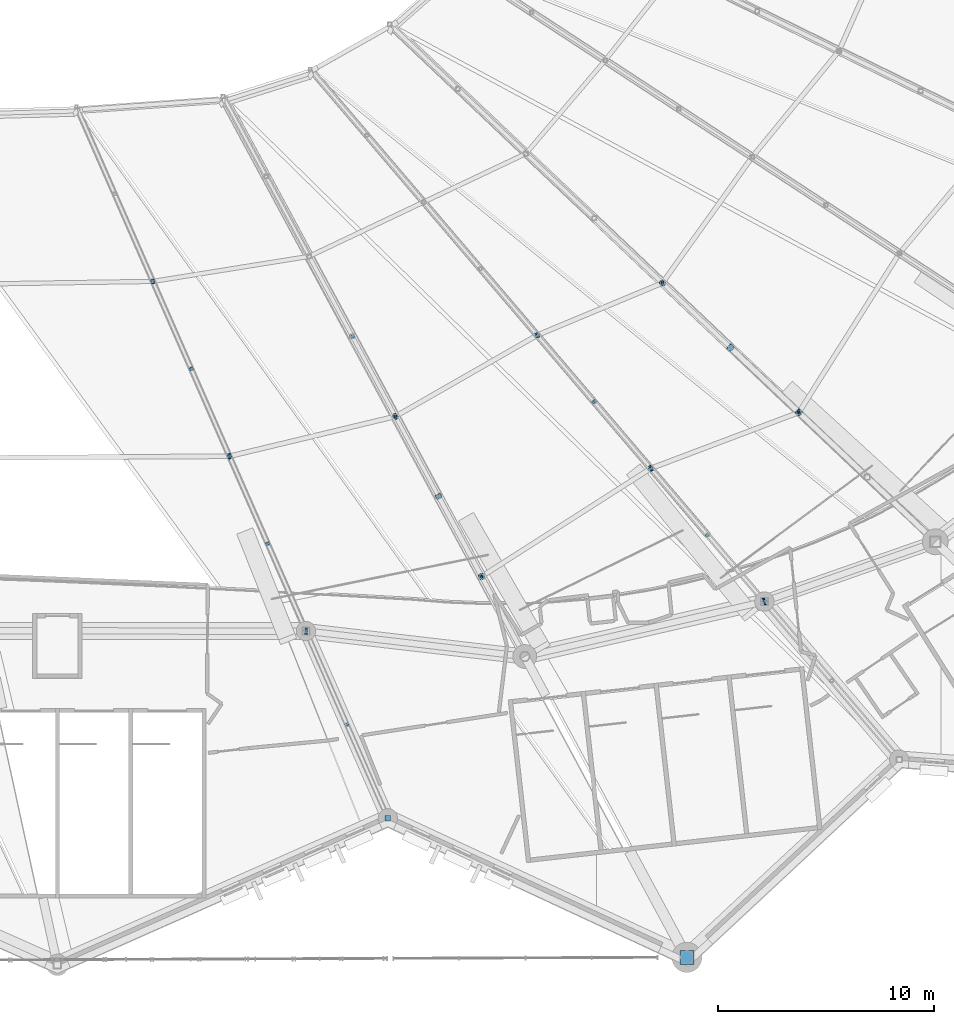
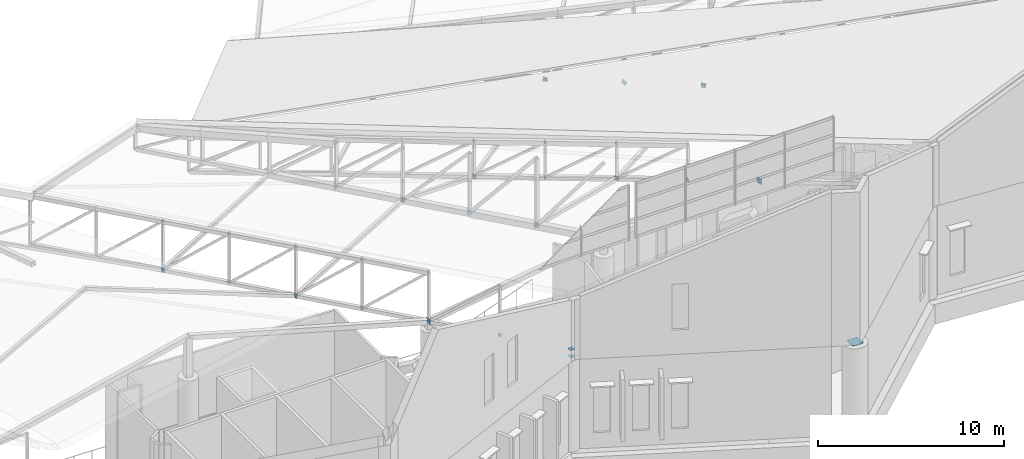
# One storey, part 296 of 344: 48 discrete accessories.
"""IFC4 building model written with IfcOpenShell, lengths in metres."""

from ifc_helpers import new_model, si_unit, direction, frame, origin, origin_2d, place, context, subcontext, project, spatial, rectangle, extrude, material, material_profile, profile_set, type_object, element, save


model = new_model("IFC4")

# Units and contexts
model_context = context("Model", 3, precision=1e-05, world=origin(), true_north=direction((0.0, 1.0)))
body_context = subcontext(model_context, "Body", "Model", "MODEL_VIEW")
ifc_project = project(units=[si_unit("LENGTHUNIT", "METRE"), si_unit("AREAUNIT", "SQUARE_METRE"), si_unit("VOLUMEUNIT", "CUBIC_METRE"), si_unit("PLANEANGLEUNIT", "RADIAN"), si_unit("MASSUNIT", "GRAM", prefix="KILO")], contexts=[model_context])

# Site, building, storey
site_placement = place(None, origin())
site = spatial("IfcSite", under=ifc_project, at=site_placement, CompositionType="ELEMENT")
building_placement = place(site_placement, origin())
building = spatial("IfcBuilding", under=site, at=building_placement, Name="Meseta Stadium", CompositionType="ELEMENT")
storey_placement = place(building_placement, frame((0.0, 0.0, 24.0)))
storey = spatial("IfcBuildingStorey", under=building, at=storey_placement, Name="L04", CompositionType="ELEMENT", Elevation=24.0)

# Discrete accessories
ifc_material_1 = material(Name="Steel S355", Category="steel")
ifc_material_profile_1 = material_profile(ifc_material_1, rectangle(XDim=0.179931640625, YDim=0.179931640625, at=origin_2d()), Name="PL 180x180")
ifc_profile_set_1 = profile_set([ifc_material_profile_1], Name="Steel S355")
discrete_accessory_type_1 = type_object("IfcDiscreteAccessoryType", Name="End plate 180x180x20", PredefinedType="ANCHORPLATE", material=ifc_profile_set_1)
discrete_accessory_1_placement = place(storey_placement, frame((27.43017578125, -73.6884765625, 3.54248046875), z_axis=(0.278854463561, -0.666825891123, 0.691074105346), x_axis=(0.922579877145, 0.385806130442, 0.0)))
element("IfcDiscreteAccessory", 1, at=discrete_accessory_1_placement, inside=storey, type_object=discrete_accessory_type_1, Name="End plate of ROOF TRUSS RT-49 diagonal", PredefinedType="ANCHORPLATE", context=body_context, shape_type="SweptSolid", body=[
    extrude(rectangle(XDim=0.179931640625, YDim=0.179931640625, at=origin_2d()), origin(), (0.0, 0.0, 1.0), 0.02001953125),
])
discrete_accessory_2_placement = place(storey_placement, frame((27.42431640625, -73.67529296875, 0.328857421875), z_axis=(0.294794917616, -0.663288564635, 0.68785480777), x_axis=(0.91381154862, 0.406138466053, 0.0)))
element("IfcDiscreteAccessory", 2, at=discrete_accessory_2_placement, inside=storey, type_object=discrete_accessory_type_1, Name="End plate of ROOF TRUSS RT-49 diagonal", PredefinedType="ANCHORPLATE", context=body_context, shape_type="SweptSolid", body=[
    extrude(rectangle(XDim=0.179931640625, YDim=0.179931640625, at=origin_2d()), origin(), (0.0, 0.0, 1.0), 0.019775390625),
])
for number, where, z_axis, x_axis, name in (
    (3, (29.205322265625, -77.744384765625, 4.54150390625), (0.281199650866, -0.672433947723, 0.6846600195), (0.922579877145, 0.385806130442, 0.0), "End plate of ROOF TRUSS RT-49 diagonal"),
    (4, (29.199462890625, -77.731201171875, 1.32763671875), (0.292313638097, -0.657705685718, 0.69424489048), (0.91381154862, 0.406138466053, 0.0), "End plate of ROOF TRUSS RT-49 diagonal"),
    (5, (30.98046875, -81.80029296875, 5.540283203125), (0.28111562288, -0.660010592848, 0.696677848006), (0.92002397899, 0.391862065125, 0.0), "End plate of ROOF TRUSS RT-49 diagonal"),
    (6, (30.974609375, -81.786865234375, 2.32666015625), (0.292400403797, -0.670084258702, 0.68226760886), (0.91653937837, 0.399944456016, 0.0), "End plate of ROOF TRUSS RT-49 diagonal"),
    (7, (32.755615234375, -85.85595703125, 6.539306640625), (0.292400403797, -0.670084258702, 0.68226760886), (0.91653937837, 0.399944456016, 0.0), "End plate of ROOF TRUSS RT-49 diagonal"),
    (8, (32.749755859375, -85.8427734375, 3.325439453125), (0.292313638097, -0.657705685718, 0.69424489048), (0.91381154862, 0.406138466053, 0.0), "End plate of ROOF TRUSS RT-49 diagonal"),
    (9, (34.524658203125, -89.898193359375, 4.324951171875), (0.305949199028, -0.685326205822, 0.6608502699), (0.913137882438, 0.407650840374, 0.0), "End plate of ROOF TRUSS RT-49 diagonal"),
    (10, (36.426025390625, -94.242431640625, 5.394775390625), (0.305995030681, -0.673189067498, 0.673189067498), (0.910366477463, 0.413802944301, 0.0), "End plate of ROOF TRUSS RT-49 diagonal"),
    (11, (45.260986328125, -76.1845703125, 4.05615234375), (0.514457157149, -0.600200016674, 0.612448996606), (0.759256602365, 0.650791373456, 0.0), "End plate of ROOF TRUSS RT-51 diagonal"),
    (12, (45.250732421875, -76.172607421875, 1.74365234375), (0.510602919511, -0.595703406096, 0.620017830835), (0.759256602365, 0.650791373456, 0.0), "End plate of ROOF TRUSS RT-51 diagonal"),
    (13, (47.8955078125, -79.27392578125, 4.928466796875), (0.510602919511, -0.595703406096, 0.620017830835), (0.759256602365, 0.650791373456, 0.0), "End plate of ROOF TRUSS RT-51 diagonal"),
    (14, (47.88525390625, -79.261962890625, 2.6162109375), (0.514457157149, -0.600200016674, 0.612448996606), (0.759256602365, 0.650791373456, 0.0), "End plate of ROOF TRUSS RT-51 diagonal"),
    (15, (50.5302734375, -82.363037109375, 5.801025390625), (0.51067840224, -0.607950478857, 0.607950478857), (0.76570486479, 0.643192086423, 0.0), "End plate of ROOF TRUSS RT-51 diagonal"),
    (16, (50.52001953125, -82.35107421875, 3.488525390625), (0.510602919511, -0.595703406096, 0.620017830835), (0.759256602365, 0.650791373456, 0.0), "End plate of ROOF TRUSS RT-51 diagonal"),
    (17, (53.154541015625, -85.4404296875, 4.361083984375), (0.514457157149, -0.600200016674, 0.612448996606), (0.759256602365, 0.650791373456, 0.0), "End plate of ROOF TRUSS RT-51 diagonal"),
    (18, (55.788818359375, -88.529296875, 5.234375), (0.539440954056, -0.625261105838, 0.563960997422), (0.757156729179, 0.653233256547, 0.0), "End plate of ROOF TRUSS RT-51 diagonal"),
):
    element("IfcDiscreteAccessory", number, at=place(storey_placement, frame(where, z_axis=z_axis, x_axis=x_axis)), inside=storey, type_object=discrete_accessory_type_1, Name=name, PredefinedType="ANCHORPLATE", context=body_context, shape_type="SweptSolid", body=[
        extrude(rectangle(XDim=0.179931640625, YDim=0.179931640625, at=origin_2d()), origin(), (0.0, 0.0, 1.0), 0.02001953125),
    ])
ifc_material_2 = material(Name="Steel S355", Category="steel")
ifc_material_profile_2 = material_profile(ifc_material_2, rectangle(XDim=0.219970703125, YDim=0.219970703125, at=origin_2d()), Name="PL 220x220")
ifc_profile_set_2 = profile_set([ifc_material_profile_2], Name="Steel S355")
discrete_accessory_type_2 = type_object("IfcDiscreteAccessoryType", Name="End plate 220x220x20", PredefinedType="ANCHORPLATE", material=ifc_profile_set_2)
discrete_accessory_3_placement = place(storey_placement, frame((36.675537109375, -76.2265625, 4.0712890625), z_axis=(0.343771839277, -0.626155850111, 0.699821244242), x_axis=(0.87657855078, 0.481258812193, 0.0)))
element("IfcDiscreteAccessory", 19, at=discrete_accessory_3_placement, inside=storey, type_object=discrete_accessory_type_2, Name="End plate of ROOF TRUSS RT-50 diagonal", PredefinedType="ANCHORPLATE", context=body_context, shape_type="SweptSolid", body=[
    extrude(rectangle(XDim=0.219970703125, YDim=0.219970703125, at=origin_2d()), origin(), (0.0, 0.0, 1.0), 0.019775390625),
])
discrete_accessory_4_placement = place(storey_placement, frame((38.676025390625, -79.940185546875, 4.783935546875), z_axis=(0.315342689883, -0.594299684779, 0.739842464724), x_axis=(0.883349020695, 0.468715806899, 0.0)))
element("IfcDiscreteAccessory", 20, at=discrete_accessory_4_placement, inside=storey, type_object=discrete_accessory_type_2, Name="End plate of ROOF TRUSS RT-50 diagonal", PredefinedType="ANCHORPLATE", context=body_context, shape_type="SweptSolid", body=[
    extrude(rectangle(XDim=0.219970703125, YDim=0.219970703125, at=origin_2d()), origin(), (0.0, 0.0, 1.0), 0.02001953125),
])
ifc_material_3 = material(Name="Steel S355", Category="steel")
ifc_material_profile_3 = material_profile(ifc_material_3, rectangle(XDim=0.239990234375, YDim=0.239990234375, at=origin_2d()), Name="PL 240x240")
ifc_profile_set_3 = profile_set([ifc_material_profile_3], Name="Steel S355")
discrete_accessory_type_3 = type_object("IfcDiscreteAccessoryType", Name="End plate 240x240x20", PredefinedType="ANCHORPLATE", material=ifc_profile_set_3)
for number, where, z_axis, x_axis, name in (
    (21, (51.058837890625, -73.752197265625, 4.59326171875), (0.490732904812, -0.466196259571, 0.736099357218), (0.688749461915, 0.724999433594, 0.0), "End plate of ROOF TRUSS RT-52 diagonal"),
    (22, (27.43017578125, -73.6884765625, 0.342529296875), (0.879226404, 0.012211477833, -0.4762476355), (-0.013887549491, 0.999903563335, 0.0), "End plate of ROOF TRUSS STRUT RT-48/49"),
    (23, (27.411865234375, -73.69140625, 0.3349609375), (0.914226343328, 0.146276214932, 0.377880221909), (-0.157990501107, 0.987440631917, 0.0), "End plate of ROOF TRUSS STRUT RT-49/50"),
):
    element("IfcDiscreteAccessory", number, at=place(storey_placement, frame(where, z_axis=z_axis, x_axis=x_axis)), inside=storey, type_object=discrete_accessory_type_3, Name=name, PredefinedType="ANCHORPLATE", context=body_context, shape_type="SweptSolid", body=[
        extrude(rectangle(XDim=0.239990234375, YDim=0.239990234375, at=origin_2d()), origin(), (0.0, 0.0, 1.0), 0.02001953125),
    ])
ifc_material_4 = material(Name="Steel S355", Category="steel")
ifc_material_profile_4 = material_profile(ifc_material_4, rectangle(XDim=0.260009765625, YDim=0.260009765625, at=origin_2d()), Name="PL 260x260")
ifc_profile_set_4 = profile_set([ifc_material_profile_4], Name="Steel S355")
discrete_accessory_type_4 = type_object("IfcDiscreteAccessoryType", Name="End plate 260x260x20", PredefinedType="ANCHORPLATE", material=ifc_profile_set_4)
discrete_accessory_5_placement = place(storey_placement, frame((38.333251953125, -98.60009765625, 6.4580078125), z_axis=(0.0, 0.0, 1.0), x_axis=(1.0, 0.0, 0.0)))
element("IfcDiscreteAccessory", 24, at=discrete_accessory_5_placement, inside=storey, type_object=discrete_accessory_type_4, Name="End plate of ROOF TRUSS RT-49 post", PredefinedType="ANCHORPLATE", context=body_context, shape_type="SweptSolid", body=[
    extrude(rectangle(XDim=0.260009765625, YDim=0.260009765625, at=origin_2d()), origin(), (0.0, 0.0, 1.0), 0.02001953125),
])
discrete_accessory_6_placement = place(storey_placement, frame((40.67626953125, -83.65380859375, 5.496826171875), z_axis=(0.302348082555, -0.556320471901, 0.774011091341), x_axis=(0.878624509573, 0.47751332042, 0.0)))
element("IfcDiscreteAccessory", 25, at=discrete_accessory_6_placement, inside=storey, type_object=discrete_accessory_type_4, Name="End plate of ROOF TRUSS RT-50 diagonal", PredefinedType="ANCHORPLATE", context=body_context, shape_type="SweptSolid", body=[
    extrude(rectangle(XDim=0.260009765625, YDim=0.260009765625, at=origin_2d()), origin(), (0.0, 0.0, 1.0), 0.020263671875),
])
discrete_accessory_7_placement = place(storey_placement, frame((42.6767578125, -87.367431640625, 6.2099609375), z_axis=(0.2830461079, -0.529173158248, 0.79991291363), x_axis=(0.881784641935, 0.471652250337, 0.0)))
element("IfcDiscreteAccessory", 26, at=discrete_accessory_7_placement, inside=storey, type_object=discrete_accessory_type_4, Name="End plate of ROOF TRUSS RT-50 diagonal", PredefinedType="ANCHORPLATE", context=body_context, shape_type="SweptSolid", body=[
    extrude(rectangle(XDim=0.260009765625, YDim=0.260009765625, at=origin_2d()), origin(), (0.0, 0.0, 1.0), 0.019775390625),
])
for number, where, z_axis, x_axis, name in (
    (27, (38.333251953125, -98.60009765625, 5.97998046875), (0.0, 0.0, 1.0), (1.0, 0.0, 0.0), "End plate of ROOF RIM POST RT-49"),
    (28, (38.333251953125, -98.60009765625, 6.47802734375), (0.0, 0.0, 1.0), (1.0, 0.0, 0.0), "End plate of ROOF RIM POST RT-49"),
    (29, (30.98046875, -81.80029296875, 2.34033203125), (0.930085565045, 0.012237967961, -0.367139038833), (-0.01315675587, 0.999913446142, 0.0), "End plate of ROOF TRUSS STRUT RT-48/49"),
    (30, (30.9619140625, -81.8046875, 2.33447265625), (0.930155221331, 0.220299920842, 0.293733227789), (-0.230466383879, 0.97308028749, 0.0), "End plate of ROOF TRUSS STRUT RT-49/50"),
    (31, (38.682373046875, -79.9521484375, 4.798828125), (0.927588314092, 0.231897078523, 0.292922625503), (-0.242535625036, 0.970142500145, 0.0), "End plate of ROOF TRUSS STRUT RT-49/50"),
):
    element("IfcDiscreteAccessory", number, at=place(storey_placement, frame(where, z_axis=z_axis, x_axis=x_axis)), inside=storey, type_object=discrete_accessory_type_4, Name=name, PredefinedType="ANCHORPLATE", context=body_context, shape_type="SweptSolid", body=[
        extrude(rectangle(XDim=0.260009765625, YDim=0.260009765625, at=origin_2d()), origin(), (0.0, 0.0, 1.0), 0.02001953125),
    ])
discrete_accessory_8_placement = place(storey_placement, frame((38.666259765625, -79.961181640625, 4.80615234375), z_axis=(0.810869554221, 0.454578386457, -0.3685770701), x_axis=(-0.489005764337, 0.872280552601, 0.0)))
element("IfcDiscreteAccessory", 32, at=discrete_accessory_8_placement, inside=storey, type_object=discrete_accessory_type_4, Name="End plate of ROOF TRUSS STRUT RT-50/51", PredefinedType="ANCHORPLATE", context=body_context, shape_type="SweptSolid", body=[
    extrude(rectangle(XDim=0.260009765625, YDim=0.260009765625, at=origin_2d()), origin(), (0.0, 0.0, 1.0), 0.019775390625),
])
for number, where, z_axis, x_axis, name in (
    (33, (45.260986328125, -76.1845703125, 1.756103515625), (0.802672654344, 0.462144861592, -0.377012913404), (-0.498964444867, 0.866622456874, 0.0), "End plate of ROOF TRUSS STRUT RT-50/51"),
    (34, (42.666259765625, -87.38818359375, 6.2314453125), (0.809404787911, 0.515075774125, -0.282065304878), (-0.536875492193, 0.843661487732, 0.0), "End plate of ROOF TRUSS STRUT RT-50/51"),
    (35, (50.5302734375, -82.363037109375, 3.5009765625), (0.809404787911, 0.515075774125, -0.282065304878), (-0.536875492193, 0.843661487732, 0.0), "End plate of ROOF TRUSS STRUT RT-50/51"),
    (36, (45.244140625, -76.191650390625, 1.747802734375), (0.839344013084, 0.352767773615, 0.413589803549), (-0.387459617732, 0.921886676673, 0.0), "End plate of ROOF TRUSS STRUT RT-51/52"),
    (37, (51.068603515625, -73.761474609375, 4.60791015625), (0.842906264953, 0.342048919111, 0.415345116064), (-0.376016806025, 0.926612843418, 0.0), "End plate of ROOF TRUSS STRUT RT-51/52"),
    (38, (50.51220703125, -82.369873046875, 3.495361328125), (0.898108517943, 0.339824844627, 0.279141836658), (-0.353892097416, 0.935286257456, 0.0), "End plate of ROOF TRUSS STRUT RT-51/52"),
    (39, (57.39990234375, -79.766357421875, 5.632568359375), (0.898108517943, 0.339824844627, 0.279141836658), (-0.353892097416, 0.935286257456, 0.0), "End plate of ROOF TRUSS STRUT RT-51/52"),
    (40, (51.057373046875, -73.77734375, 4.613037109375), (0.558571713557, 0.789286116983, -0.255000130102), (-0.816271211705, 0.577668857514, 0.0), "End plate of ROOF TRUSS STRUT RT-52/53"),
):
    element("IfcDiscreteAccessory", number, at=place(storey_placement, frame(where, z_axis=z_axis, x_axis=x_axis)), inside=storey, type_object=discrete_accessory_type_4, Name=name, PredefinedType="ANCHORPLATE", context=body_context, shape_type="SweptSolid", body=[
        extrude(rectangle(XDim=0.260009765625, YDim=0.260009765625, at=origin_2d()), origin(), (0.0, 0.0, 1.0), 0.02001953125),
    ])
discrete_accessory_9_placement = place(storey_placement, frame((57.389404296875, -79.782958984375, 5.6357421875), z_axis=(0.527617291246, 0.834371530343, -0.15951220433), x_axis=(-0.845193423646, 0.534460547305, 0.0)))
element("IfcDiscreteAccessory", 41, at=discrete_accessory_9_placement, inside=storey, type_object=discrete_accessory_type_4, Name="End plate of ROOF TRUSS STRUT RT-52/53", PredefinedType="ANCHORPLATE", context=body_context, shape_type="SweptSolid", body=[
    extrude(rectangle(XDim=0.260009765625, YDim=0.260009765625, at=origin_2d()), origin(), (0.0, 0.0, 1.0), 0.019775390625),
])
ifc_material_5 = material(Name="Steel S355", Category="steel")
ifc_material_profile_5 = material_profile(ifc_material_5, rectangle(XDim=0.2900390625, YDim=0.2900390625, at=origin_2d()), Name="PL 290x290")
ifc_profile_set_5 = profile_set([ifc_material_profile_5], Name="Steel S355")
discrete_accessory_type_5 = type_object("IfcDiscreteAccessoryType", Name="End plate 290x290x20", PredefinedType="ANCHORPLATE", material=ifc_profile_set_5)
for number, where, z_axis, x_axis, name in (
    (42, (54.22509765625, -76.755126953125, 5.10498046875), (0.463932396738, -0.439514902173, 0.769151078803), (0.687744647911, 0.725952683906, 0.0), "End plate of ROOF TRUSS RT-52 diagonal"),
    (43, (57.39111328125, -79.758056640625, 5.61669921875), (0.4405668466, -0.416090910678, 0.795467917472), (0.686623532964, 0.72701315255, 0.0), "End plate of ROOF TRUSS RT-52 diagonal"),
):
    element("IfcDiscreteAccessory", number, at=place(storey_placement, frame(where, z_axis=z_axis, x_axis=x_axis)), inside=storey, type_object=discrete_accessory_type_5, Name=name, PredefinedType="ANCHORPLATE", context=body_context, shape_type="SweptSolid", body=[
        extrude(rectangle(XDim=0.2900390625, YDim=0.2900390625, at=origin_2d()), origin(), (0.0, 0.0, 1.0), 0.02001953125),
    ])
ifc_material_6 = material(Name="Steel S355", Category="steel")
ifc_material_profile_6 = material_profile(ifc_material_6, rectangle(XDim=0.340087890625, YDim=0.340087890625, at=origin_2d()), Name="PL 340x340")
ifc_profile_set_6 = profile_set([ifc_material_profile_6], Name="Steel S355")
discrete_accessory_type_6 = type_object("IfcDiscreteAccessoryType", Name="End plate 340x340x20", PredefinedType="ANCHORPLATE", material=ifc_profile_set_6)
for number, where, z_axis, x_axis, name in (
    (44, (34.53076171875, -89.911865234375, 4.338134765625), (0.963343002143, 0.0, -0.268272734774), (0.0, 1.0, 0.0), "End plate of ROOF PIVOT STRUT RT-48/49"),
    (45, (34.511474609375, -89.90966796875, 4.333251953125), (0.963557946105, -0.10977242424, 0.243938720533), (0.113191877531, 0.993573147212, 0.0), "End plate of ROOF PIVOT STRUT RT-49/50"),
    (46, (55.799560546875, -88.541748046875, 5.24560546875), (0.964491035325, 0.219757451087, -0.146504967391), (-0.222154512829, 0.975011472973, 0.0), "End plate of ROOF PIVOT STRUT RT-50/51"),
):
    element("IfcDiscreteAccessory", number, at=place(storey_placement, frame(where, z_axis=z_axis, x_axis=x_axis)), inside=storey, type_object=discrete_accessory_type_6, Name=name, PredefinedType="ANCHORPLATE", context=body_context, shape_type="SweptSolid", body=[
        extrude(rectangle(XDim=0.340087890625, YDim=0.340087890625, at=origin_2d()), origin(), (0.0, 0.0, 1.0), 0.02001953125),
    ])
discrete_accessory_10_placement = place(storey_placement, frame((55.78076171875, -88.54833984375, 5.242431640625), z_axis=(0.931913866156, 0.326774992029, 0.157336107273), x_axis=(-0.330896267797, 0.943667134088, 0.0)))
element("IfcDiscreteAccessory", 47, at=discrete_accessory_10_placement, inside=storey, type_object=discrete_accessory_type_6, Name="End plate of ROOF PIVOT STRUT RT-51/52", PredefinedType="ANCHORPLATE", context=body_context, shape_type="SweptSolid", body=[
    extrude(rectangle(XDim=0.340087890625, YDim=0.340087890625, at=origin_2d()), origin(), (0.0, 0.0, 1.0), 0.020263671875),
])
ifc_material_7 = material(Name="Steel S355", Category="steel")
ifc_material_profile_7 = material_profile(ifc_material_7, rectangle(XDim=0.64990234375, YDim=0.64990234375, at=origin_2d()), Name="PL 650x650")
ifc_profile_set_7 = profile_set([ifc_material_profile_7], Name="Steel S355")
discrete_accessory_type_7 = type_object("IfcDiscreteAccessoryType", Name="End plate 650x650x20", PredefinedType="ANCHORPLATE", material=ifc_profile_set_7)
discrete_accessory_11_placement = place(storey_placement, frame((52.202880859375, -105.0517578125, 5.97998046875), z_axis=(0.0, 0.0, 1.0), x_axis=(1.0, 0.0, 0.0)))
element("IfcDiscreteAccessory", 48, at=discrete_accessory_11_placement, inside=storey, type_object=discrete_accessory_type_7, Name="End plate of GABLE ARCH GA-S pylon post", PredefinedType="ANCHORPLATE", context=body_context, shape_type="SweptSolid", body=[
    extrude(rectangle(XDim=0.64990234375, YDim=0.64990234375, at=origin_2d()), origin(), (0.0, 0.0, 1.0), 0.02001953125),
])

save(model, "model.ifc")
